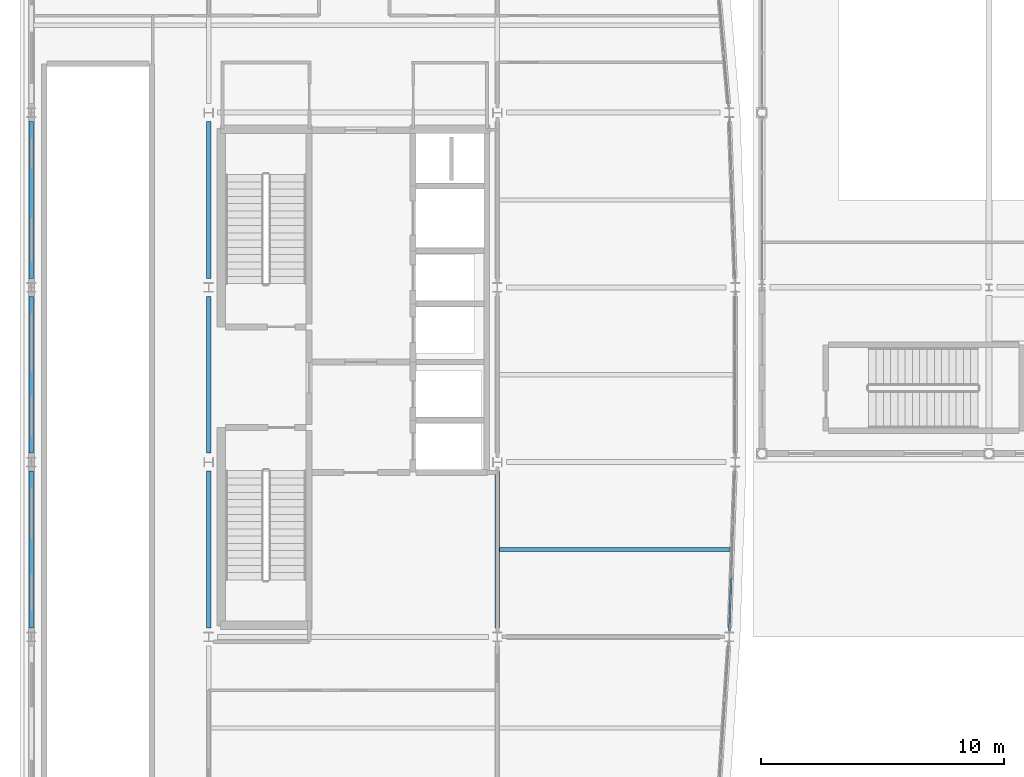
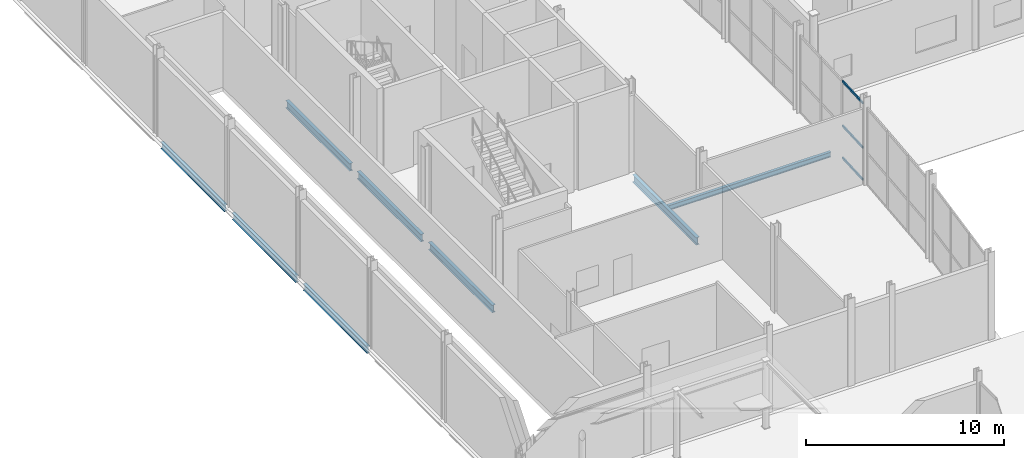
# One storey, part 26 of 83: 8 beams, 3 members, 1 element without a shape of its own.
"""IFC4 building model written with IfcOpenShell, lengths in metres."""

from ifc_helpers import new_model, si_unit, direction, frame, origin, origin_2d, place, context, subcontext, project, spatial, hollow_rectangle, i_section, extrude, material, layer, layer_set, material_profile, profile_set, type_object, element, aggregate, save


model = new_model("IFC4")

# Units and contexts
model_context = context("Model", 3, precision=1e-05, world=origin(), true_north=direction((0.0, 1.0)))
body_context = subcontext(model_context, "Body", "Model", "MODEL_VIEW")
ifc_project = project(units=[si_unit("LENGTHUNIT", "METRE"), si_unit("AREAUNIT", "SQUARE_METRE"), si_unit("VOLUMEUNIT", "CUBIC_METRE"), si_unit("PLANEANGLEUNIT", "RADIAN"), si_unit("MASSUNIT", "GRAM", prefix="KILO")], contexts=[model_context])

# Site, building, storey
site_placement = place(None, origin())
site = spatial("IfcSite", under=ifc_project, at=site_placement, CompositionType="ELEMENT")
building_placement = place(site_placement, origin())
building = spatial("IfcBuilding", under=site, at=building_placement, Name="Quillay Park Conservatory", CompositionType="ELEMENT")
storey_placement = place(building_placement, origin())
storey = spatial("IfcBuildingStorey", under=building, at=storey_placement, Name="L00", CompositionType="ELEMENT", Elevation=0.0)

# Beam
ifc_material_1 = material(Name="Steel ASTM A992 Grade 50", Category="steel")
ifc_material_profile_1 = material_profile(ifc_material_1, i_section(OverallWidth=0.166015625, OverallDepth=0.31298828125, WebThickness=0.006591796875, FlangeThickness=0.01123046875, FilletRadius=0.010009765625, at=origin_2d()), Name="W310x45")
ifc_profile_set_1 = profile_set([ifc_material_profile_1], Name="Steel ASTM A992 Grade 50")
beam_type_1 = type_object("IfcBeamType", Name="COMPOSITE FLOOR JOIST W310 X45", PredefinedType="JOIST", material=ifc_profile_set_1)
beam_1_placement = place(storey_placement, frame((19.845947265625, 81.60009765625, -0.406494140625), z_axis=(1.0, 0.0, 0.0), x_axis=(0.0, 1.0, 0.0)))
element("IfcBeam", 1, at=beam_1_placement, inside=storey, type_object=beam_type_1, Name="L00 beam BM-J-0083", PredefinedType="JOIST", context=body_context, shape_type="SweptSolid", body=[
    extrude(i_section(OverallWidth=0.166015625, OverallDepth=0.31298828125, WebThickness=0.006591796875, FlangeThickness=0.01123046875, FilletRadius=0.010009765625, at=origin_2d()), origin(), (0.0, 0.0, 1.0), 9.489013671875),
])

# Curtain wall, members
ifc_material_2 = material(Name="Thermally Broken Anodised Aluminium 6063-T6", Category="aluminium")
ifc_layer = layer(ifc_material_2, 0.179931640625)
ifc_layer_set = layer_set([ifc_layer], Name="UNITISED CURTAIN WALL TOWER (Thermally Broken Anodised Aluminium 6063-T6)")
curtain_wall_type = type_object("IfcCurtainWallType", Name="UNITISED CURTAIN WALL TOWER", PredefinedType="USERDEFINED", material=ifc_layer_set)
curtain_wall_placement = place(storey_placement, origin())
curtain_wall = element("IfcCurtainWall", 2, at=curtain_wall_placement, inside=storey, type_object=curtain_wall_type, Name="L00 Unitised Curtain Wall 003", ObjectType="UNITISED CURTAIN WALL", PredefinedType="USERDEFINED")
ifc_material_3 = material(Name="Thermally Broken Anodised Aluminium 6063-T6", Category="aluminium")
ifc_material_profile_2 = material_profile(ifc_material_3, hollow_rectangle(XDim=0.070068359375, YDim=0.1298828125, WallThickness=0.003173828125, at=origin_2d()), Name="AL70x130x3.2")
ifc_profile_set_2 = profile_set([ifc_material_profile_2], Name="Thermally Broken Anodised Aluminium 6063-T6")
member_type = type_object("IfcMemberType", Name="CURTAIN WALL TRANSOM 70 X130", PredefinedType="USERDEFINED", material=ifc_profile_set_2)
member_1_placement = place(storey_placement, frame((29.384521484375, 80.431640625, 0.034912109375), z_axis=(-0.034761587249, -0.999395633396, 0.0), x_axis=(0.999395633396, -0.034761587249, 0.0)))
member_1 = element("IfcMember", 3, at=member_1_placement, type_object=member_type, Name="CW-T1 transom 3.1", ObjectType="TRANSOM", PredefinedType="USERDEFINED", context=body_context, shape_type="SweptSolid", body=[
    extrude(hollow_rectangle(XDim=0.070068359375, YDim=0.1298828125, WallThickness=0.003173828125, at=origin_2d()), origin(), (0.0, 0.0, 1.0), 2.1630859375),
])
member_2_placement = place(storey_placement, frame((29.384521484375, 80.431640625, 2.011474609375), z_axis=(-0.034761587249, -0.999395633396, 0.0), x_axis=(0.999395633396, -0.034761587249, 0.0)))
member_2 = element("IfcMember", 4, at=member_2_placement, type_object=member_type, Name="CW-T1 transom 3.2", ObjectType="TRANSOM", PredefinedType="USERDEFINED", context=body_context, shape_type="SweptSolid", body=[
    extrude(hollow_rectangle(XDim=0.070068359375, YDim=0.1298828125, WallThickness=0.003173828125, at=origin_2d()), origin(), (0.0, 0.0, 1.0), 2.1630859375),
])
member_3_placement = place(storey_placement, frame((29.384521484375, 80.431640625, 4.75390625), z_axis=(-0.034761587249, -0.999395633396, 0.0), x_axis=(0.999395633396, -0.034761587249, 0.0)))
member_3 = element("IfcMember", 5, at=member_3_placement, type_object=member_type, Name="CW-T1 transom 3.3", ObjectType="TRANSOM", PredefinedType="USERDEFINED", context=body_context, shape_type="SweptSolid", body=[
    extrude(hollow_rectangle(XDim=0.070068359375, YDim=0.1298828125, WallThickness=0.003173828125, at=origin_2d()), origin(), (0.0, 0.0, 1.0), 2.1630859375),
])
aggregate(curtain_wall, [member_1, member_2, member_3])

# Beams
ifc_material_4 = material(Name="Steel ASTM A992 Grade 50", Category="steel")
ifc_material_profile_3 = material_profile(ifc_material_4, i_section(OverallWidth=0.179931640625, OverallDepth=0.4130859375, WebThickness=0.009765625, FlangeThickness=0.01611328125, FilletRadius=0.011962890625, at=origin_2d()), Name="W410x74")
ifc_profile_set_3 = profile_set([ifc_material_profile_3], Name="Steel ASTM A992 Grade 50")
beam_type_2 = type_object("IfcBeamType", Name="PERIMETER SPANDREL BEAM W410 X74", PredefinedType="SPANDREL", material=ifc_profile_set_3)
for number, where, z_axis, x_axis, name in (
    (6, (0.550048828125, 78.375, -0.45654296875), (0.0, 1.0, 0.0), (-1.0, 0.0, 0.0), "L00 beam BM-SPW-0079"),
    (7, (0.550048828125, 85.574951171875, -0.45654296875), (0.0, 1.0, 0.0), (-1.0, 0.0, 0.0), "L00 beam BM-SPW-0084"),
):
    element("IfcBeam", number, at=place(storey_placement, frame(where, z_axis=z_axis, x_axis=x_axis)), inside=storey, type_object=beam_type_2, Name=name, PredefinedType="SPANDREL", context=body_context, shape_type="SweptSolid", body=[
        extrude(i_section(OverallWidth=0.179931640625, OverallDepth=0.4130859375, WebThickness=0.009765625, FlangeThickness=0.01611328125, FilletRadius=0.011962890625, at=origin_2d()), origin(), (0.0, 0.0, 1.0), 6.449951171875),
    ])
beam_2_placement = place(storey_placement, frame((0.550048828125, 92.77490234375, -0.45654296875), z_axis=(0.0, 1.0, 0.0), x_axis=(-1.0, 0.0, 0.0)))
element("IfcBeam", 8, at=beam_2_placement, inside=storey, type_object=beam_type_2, Name="L00 beam BM-SPW-0089", PredefinedType="SPANDREL", context=body_context, shape_type="SweptSolid", body=[
    extrude(i_section(OverallWidth=0.179931640625, OverallDepth=0.4130859375, WebThickness=0.009765625, FlangeThickness=0.01611328125, FilletRadius=0.011962890625, at=origin_2d()), origin(), (0.0, 0.0, 1.0), 6.4501953125),
])
ifc_material_5 = material(Name="Steel ASTM A992 Grade 50", Category="steel")
ifc_material_profile_4 = material_profile(ifc_material_5, i_section(OverallWidth=0.19189453125, OverallDepth=0.462890625, WebThickness=0.010498046875, FlangeThickness=0.017578125, FilletRadius=0.012939453125, at=origin_2d()), Name="W460x89")
ifc_profile_set_4 = profile_set([ifc_material_profile_4], Name="Steel ASTM A992 Grade 50")
beam_type_3 = type_object("IfcBeamType", Name="PRIMARY FLOOR GIRDER W460 X89", PredefinedType="BEAM", material=ifc_profile_set_4)
for number, where, z_axis, x_axis, name in (
    (9, (7.85009765625, 78.375, -0.4814453125), (0.0, 1.0, 0.0), (-1.0, 0.0, 0.0), "L00 beam BM-GNS-0081"),
    (10, (19.75, 78.375, -0.4814453125), (0.0, 1.0, 0.0), (-1.0, 0.0, 0.0), "L00 beam BM-GNS-0082"),
    (11, (7.85009765625, 85.574951171875, -0.4814453125), (0.0, 1.0, 0.0), (-1.0, 0.0, 0.0), "L00 beam BM-GNS-0086"),
):
    element("IfcBeam", number, at=place(storey_placement, frame(where, z_axis=z_axis, x_axis=x_axis)), inside=storey, type_object=beam_type_3, Name=name, PredefinedType="BEAM", context=body_context, shape_type="SweptSolid", body=[
        extrude(i_section(OverallWidth=0.19189453125, OverallDepth=0.462890625, WebThickness=0.010498046875, FlangeThickness=0.017578125, FilletRadius=0.012939453125, at=origin_2d()), origin(), (0.0, 0.0, 1.0), 6.449951171875),
    ])
beam_3_placement = place(storey_placement, frame((7.85009765625, 92.77490234375, -0.4814453125), z_axis=(0.0, 1.0, 0.0), x_axis=(-1.0, 0.0, 0.0)))
element("IfcBeam", 12, at=beam_3_placement, inside=storey, type_object=beam_type_3, Name="L00 beam BM-GNS-0091", PredefinedType="BEAM", context=body_context, shape_type="SweptSolid", body=[
    extrude(i_section(OverallWidth=0.19189453125, OverallDepth=0.462890625, WebThickness=0.010498046875, FlangeThickness=0.017578125, FilletRadius=0.012939453125, at=origin_2d()), origin(), (0.0, 0.0, 1.0), 6.4501953125),
])

save(model, "model.ifc")
